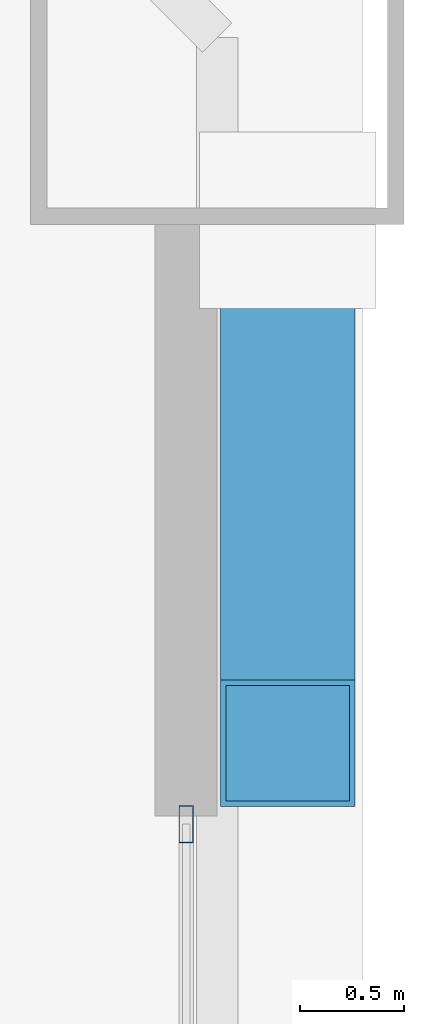
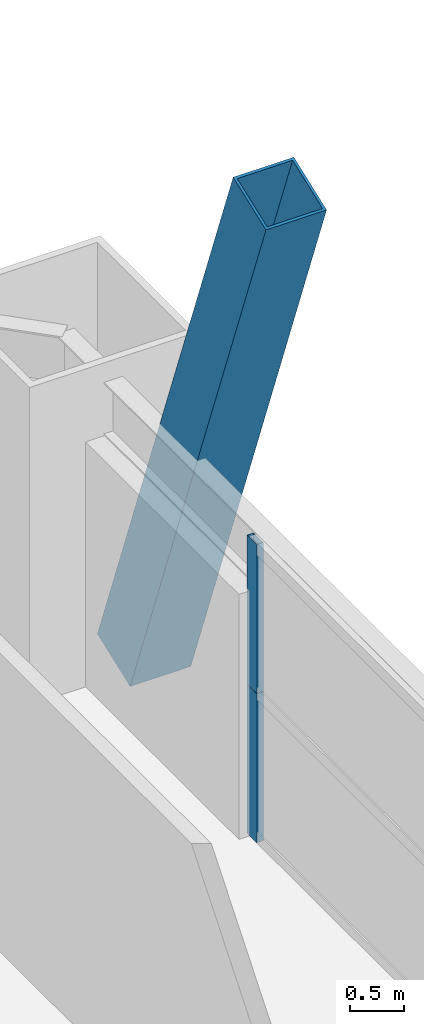
# One storey, part 34 of 43: 3 members, 1 element without a shape of its own.
"""IFC4 building model written with IfcOpenShell, lengths in metres."""

import ifcopenshell
import ifcopenshell.guid

model = None  # the IFC model being written
_history = None  # IfcOwnerHistory: only IFC2X3 demands one
_inside = {}  # id of a spatial element -> (the spatial element, [elements in it])
_under = {}  # id of a project, library or spatial element -> (it, [spatial elements below it])
_declared = {}  # id of a project -> (the project, [libraries it declares])
_typed = {}  # id of a type object -> (the type object, [elements of that type])
_made_of = {}  # id of a material, layer set ... -> (it, [elements and type objects made of it])


def new_model(schema):
    """Start an empty IFC model of exactly this schema.

    Asked for "IFC4X3", IfcOpenShell would pick the latest addendum, in which some entities
    have other attributes; the version numbers below select the first issue.
    IFC2X3 requires an IfcOwnerHistory on every rooted entity: one is made here for all.
    """
    global model, _history
    if schema == "IFC4X3":
        model = ifcopenshell.file(schema_version=(4, 3, 0, 0))
    else:
        model = ifcopenshell.file(schema=schema)
    _inside.clear()
    _under.clear()
    _declared.clear()
    _typed.clear()
    _made_of.clear()
    _history = None
    if model.schema == "IFC2X3":
        org = make("IfcOrganization", Name="unknown")
        user = make(
            "IfcPersonAndOrganization",
            ThePerson=make("IfcPerson", FamilyName="unknown"),
            TheOrganization=org,
        )
        app = make(
            "IfcApplication",
            ApplicationDeveloper=org,
            Version="unknown",
            ApplicationFullName="unknown",
            ApplicationIdentifier="unknown",
        )
        _history = make(
            "IfcOwnerHistory",
            OwningUser=user,
            OwningApplication=app,
            ChangeAction="ADDED",
            CreationDate=0,
        )
    return model


def make(cls, **values):
    """One entity of the class cls with the attributes given. An attribute that is None is left unset."""
    return model.create_entity(
        cls, **{name: value for name, value in values.items() if value is not None}
    )


def rooted(cls, **values):
    """An entity with a GlobalId (a new one), such as an element, a storey or a relation."""
    return make(cls, GlobalId=ifcopenshell.guid.new(), OwnerHistory=_history, **values)


def si_unit(unit_type, name, prefix=None):
    """IfcSIUnit, for example si_unit("LENGTHUNIT", "METRE", prefix="MILLI")."""
    return make("IfcSIUnit", UnitType=unit_type, Prefix=prefix, Name=name)


def assignment(units):
    """IfcUnitAssignment: the units of a project."""
    return None if units is None else make("IfcUnitAssignment", Units=units)


def point(xyz):
    """IfcCartesianPoint."""
    return None if xyz is None else make("IfcCartesianPoint", Coordinates=xyz)


def direction(xyz):
    """IfcDirection."""
    return None if xyz is None else make("IfcDirection", DirectionRatios=xyz)


def frame(location, z_axis=None, x_axis=None):
    """IfcAxis2Placement3D, a coordinate frame: its origin and axes. An axis left out is left unset."""
    return make(
        "IfcAxis2Placement3D",
        Location=point(location),
        Axis=direction(z_axis),
        RefDirection=direction(x_axis),
    )


def frame_2d(location, x_axis=None):
    """IfcAxis2Placement2D, a coordinate frame in the plane: its origin and x axis."""
    return make(
        "IfcAxis2Placement2D", Location=point(location), RefDirection=direction(x_axis)
    )


def origin():
    """The frame at (0, 0, 0) with its axes left unset."""
    return frame((0.0, 0.0, 0.0))


def origin_2d():
    """The frame at (0, 0) in the plane with its x axis left unset."""
    return frame_2d((0.0, 0.0))


def place(relative_to, where):
    """IfcLocalPlacement: puts the frame where relative to a parent placement (None: the world)."""
    return make(
        "IfcLocalPlacement", PlacementRelTo=relative_to, RelativePlacement=where
    )


def context(
    kind, dimensions, precision=None, world=None, true_north=None, identifier=None
):
    """IfcGeometricRepresentationContext, for example the 3D "Model" context."""
    return make(
        "IfcGeometricRepresentationContext",
        ContextIdentifier=identifier,
        ContextType=kind,
        CoordinateSpaceDimension=dimensions,
        Precision=precision,
        WorldCoordinateSystem=world,
        TrueNorth=true_north,
    )


def subcontext(parent, identifier, kind, view, scale=None):
    """IfcGeometricRepresentationSubContext, for example "Body" below "Model"."""
    return make(
        "IfcGeometricRepresentationSubContext",
        ContextIdentifier=identifier,
        ContextType=kind,
        ParentContext=parent,
        TargetScale=scale,
        TargetView=view,
    )


def project(units=None, contexts=None):
    """IfcProject with its units and contexts."""
    return rooted(
        "IfcProject",
        Name="project",
        RepresentationContexts=contexts,
        UnitsInContext=assignment(units),
    )


def spatial(cls, under=None, at=None, **own):
    """A site, building, storey or space (cls), placed at a placement, below another one or the project."""
    s = rooted(cls, ObjectPlacement=at, **own)
    if under is not None:
        _under.setdefault(under.id(), (under, []))[1].append(s)
    return s


def profile(cls, at=None, kind="AREA", **sizes):
    """A parametric profile (cls). Its sizes go by their IFC names, for example OverallWidth=200.0."""
    return make(cls, ProfileType=kind, Position=at, **sizes)


def hollow_rectangle(**sizes):
    """IfcRectangleHollowProfileDef."""
    return profile("IfcRectangleHollowProfileDef", **sizes)


def extrude(swept, where, along, depth):
    """IfcExtrudedAreaSolid: the profile swept, set in the frame where, extruded along a direction by depth."""
    return make(
        "IfcExtrudedAreaSolid",
        SweptArea=swept,
        Position=where,
        ExtrudedDirection=direction(along),
        Depth=depth,
    )


def shape(context_of_items, identifier, shape_type, items):
    """IfcShapeRepresentation: the items that make up one representation, for example the "Body"."""
    return make(
        "IfcShapeRepresentation",
        ContextOfItems=context_of_items,
        RepresentationIdentifier=identifier,
        RepresentationType=shape_type,
        Items=items,
    )


def source(mapping_origin, context_of_items, identifier, shape_type, items):
    """IfcRepresentationMap: a shape defined once, which mapped items show again and again."""
    return make(
        "IfcRepresentationMap",
        MappingOrigin=mapping_origin,
        MappedRepresentation=shape(context_of_items, identifier, shape_type, items),
    )


def transform(
    local_origin,
    x_axis=None,
    y_axis=None,
    z_axis=None,
    scale=None,
    scale2=None,
    scale3=None,
    uniform=True,
):
    """IfcCartesianTransformationOperator3D, or its non-uniform kind. x_axis, y_axis, z_axis: its Axis1, 2, 3."""
    if uniform:
        return make(
            "IfcCartesianTransformationOperator3D",
            Axis1=direction(x_axis),
            Axis2=direction(y_axis),
            LocalOrigin=point(local_origin),
            Scale=scale,
            Axis3=direction(z_axis),
        )
    return make(
        "IfcCartesianTransformationOperator3DnonUniform",
        Axis1=direction(x_axis),
        Axis2=direction(y_axis),
        LocalOrigin=point(local_origin),
        Scale=scale,
        Axis3=direction(z_axis),
        Scale2=scale2,
        Scale3=scale3,
    )


def mapped(mapping_source, mapping_target):
    """IfcMappedItem: shows the shape of a source again, moved by a transform."""
    return make(
        "IfcMappedItem", MappingSource=mapping_source, MappingTarget=mapping_target
    )


def material(Name=None, Category=None):
    """IfcMaterial."""
    return make("IfcMaterial", Name=Name, Category=Category)


def layer(
    of_material, thickness, ventilated=None, Name=None, Category=None, Priority=None
):
    """IfcMaterialLayer: one layer of a wall or slab, of a material (None: an air gap)."""
    return make(
        "IfcMaterialLayer",
        Material=of_material,
        LayerThickness=thickness,
        IsVentilated=ventilated,
        Name=Name,
        Category=Category,
        Priority=Priority,
    )


def layer_set(layers, Name=None):
    """IfcMaterialLayerSet."""
    return make("IfcMaterialLayerSet", MaterialLayers=layers, LayerSetName=Name)


def material_profile(
    of_material, cross_section, Name=None, Category=None, Priority=None
):
    """IfcMaterialProfile: a cross section and its material."""
    return make(
        "IfcMaterialProfile",
        Name=Name,
        Material=of_material,
        Profile=cross_section,
        Priority=Priority,
        Category=Category,
    )


def profile_set(profiles, Name=None, composite=None):
    """IfcMaterialProfileSet."""
    return make(
        "IfcMaterialProfileSet",
        Name=Name,
        MaterialProfiles=profiles,
        CompositeProfile=composite,
    )


def made_of(thing, what):
    """Note that an element or type object is made of a material, layer set ...; save() writes the relation."""
    if what is not None:
        _made_of.setdefault(what.id(), (what, []))[1].append(thing)
    return thing


def type_object(cls, material=None, **own):
    """A type object (cls), such as IfcWallType, which elements share."""
    return made_of(rooted(cls, **own), material)


def element(
    cls,
    number,
    at=None,
    inside=None,
    cuts=None,
    type_object=None,
    material=None,
    context=None,
    identifier="Body",
    shape_type=None,
    held_by="IfcProductDefinitionShape",
    body=None,
    shapes=None,
    **own,
):
    """One element of the class cls, such as IfcWall. Its Tag is "e" and its number.

    at: its placement. inside: the storey or other place that contains it. cuts: it is an
    opening in that element (IfcRelVoidsElement). A single representation is given by context,
    identifier, shape_type and body (its items); several are given by shapes. held_by: the class
    of the entity that holds the representations. save() writes the other relations.
    """
    e = rooted(cls, Tag="e%d" % number, ObjectPlacement=at, **own)
    if body is not None:
        shapes = [shape(context, identifier, shape_type, body)]
    if shapes is not None:
        e.Representation = make(held_by, Representations=shapes)
    if inside is not None:
        _inside.setdefault(inside.id(), (inside, []))[1].append(e)
    if cuts is not None:
        rooted(
            "IfcRelVoidsElement", RelatingBuildingElement=cuts, RelatedOpeningElement=e
        )
    if type_object is not None:
        _typed.setdefault(type_object.id(), (type_object, []))[1].append(e)
    return made_of(e, material)


def aggregate(whole, parts):
    """IfcRelAggregates: a whole, such as a stair, and the parts it consists of."""
    return rooted("IfcRelAggregates", RelatingObject=whole, RelatedObjects=parts)


def save(model, path):
    """Write the relations noted so far, then the file.

    IfcRelAggregates (storeys below a building ...), IfcRelContainedInSpatialStructure (elements
    in a storey), IfcRelDefinesByType, IfcRelAssociatesMaterial and IfcRelDeclares: one each for
    every whole, place, type object, material and project.
    """
    for whole, parts in _under.values():
        aggregate(whole, parts)
    for where, things in _inside.values():
        rooted(
            "IfcRelContainedInSpatialStructure",
            RelatedElements=things,
            RelatingStructure=where,
        )
    for kind, things in _typed.values():
        rooted("IfcRelDefinesByType", RelatedObjects=things, RelatingType=kind)
    for what, things in _made_of.values():
        rooted("IfcRelAssociatesMaterial", RelatedObjects=things, RelatingMaterial=what)
    for by, libraries in _declared.values():
        rooted("IfcRelDeclares", RelatingContext=by, RelatedDefinitions=libraries)
    model.write(path)


model = new_model("IFC4")

# Units and contexts
model_context = context("Model", 3, precision=1e-05, world=origin(), true_north=direction((0.0, 1.0)))
body_context = subcontext(model_context, "Body", "Model", "MODEL_VIEW")
ifc_project = project(units=[si_unit("LENGTHUNIT", "METRE"), si_unit("AREAUNIT", "SQUARE_METRE"), si_unit("VOLUMEUNIT", "CUBIC_METRE"), si_unit("PLANEANGLEUNIT", "RADIAN"), si_unit("MASSUNIT", "GRAM", prefix="KILO"), si_unit("THERMODYNAMICTEMPERATUREUNIT", "KELVIN"), si_unit("POWERUNIT", "WATT")], contexts=[model_context])

# Site, building, storey
site_placement = place(None, origin())
site = spatial("IfcSite", under=ifc_project, at=site_placement, CompositionType="ELEMENT")
building_placement = place(site_placement, origin())
building = spatial("IfcBuilding", under=site, at=building_placement, Name="Yuzanri Waterfront Tower", CompositionType="ELEMENT")
storey_placement = place(building_placement, frame((0.0, 0.0, 60.39990234375)))
storey = spatial("IfcBuildingStorey", under=building, at=storey_placement, Name="L15", CompositionType="ELEMENT", Elevation=60.39990234375)

# Member
ifc_material_1 = material(Name="Steel Q420GJC", Category="steel")
ifc_material_profile_1 = material_profile(ifc_material_1, hollow_rectangle(XDim=0.64990234375, YDim=0.64990234375, WallThickness=0.028076171875, at=origin_2d()), Name="RHS 650x650x28")
ifc_profile_set_1 = profile_set([ifc_material_profile_1], Name="Steel Q420GJC")
member_type_1 = type_object("IfcMemberType", Name="Mega Brace Lower Q420GJC RHS 650x650x28", PredefinedType="BRACE", material=ifc_profile_set_1)
shared_shape_1 = source(origin(), body_context, "Body", "SweptSolid", [
    extrude(hollow_rectangle(XDim=0.64990234375, YDim=0.64990234375, WallThickness=0.028076171875, at=origin_2d()), origin(), (0.0, 0.0, 1.0), 7.158203125),
])
member_1_placement = place(storey_placement, frame((62.43994140625, 46.419921875, 0.18017578125), z_axis=(0.0, -0.352046480343, 0.935982518896), x_axis=(1.0, 0.0, 0.0)))
element("IfcMember", 1, at=member_1_placement, inside=storey, type_object=member_type_1, Name="L15-L16 Perimeter Mega-Brace E-R", PredefinedType="BRACE", context=body_context, shape_type="MappedRepresentation", body=[
    mapped(shared_shape_1, transform((0.0, 0.0, 0.0), scale=1.0)),
])

# Curtain wall, members
ifc_material_2 = material(Name="Anodized Architectural Bronze", Category="metal")
ifc_layer = layer(ifc_material_2, 0.159912109375)
ifc_layer_set = layer_set([ifc_layer], Name="Anodized Architectural Bronze")
curtain_wall_type = type_object("IfcCurtainWallType", Name="Anodized Bronze Hotel Lower-Tier Recessed Unitized Curtain Wall 8100", PredefinedType="NOTDEFINED", material=ifc_layer_set)
curtain_wall_placement = place(storey_placement, origin())
curtain_wall = element("IfcCurtainWall", 2, at=curtain_wall_placement, inside=storey, type_object=curtain_wall_type, Name="L15 Curtain Wall CW-L15-ER", PredefinedType="NOTDEFINED")
ifc_material_3 = material(Name="Anodized Architectural Bronze", Category="metal")
ifc_material_profile_2 = material_profile(ifc_material_3, hollow_rectangle(XDim=0.070068359375, YDim=0.179931640625, WallThickness=0.00390625, at=origin_2d()), Name="CWM 70x180")
ifc_profile_set_2 = profile_set([ifc_material_profile_2], Name="Anodized Architectural Bronze")
member_type_2 = type_object("IfcMemberType", Name="Anodized Bronze Standard Curtain-Wall Mullion 70x180", PredefinedType="MULLION", material=ifc_profile_set_2)
shared_shape_2 = source(origin(), body_context, "Body", "SweptSolid", [
    extrude(hollow_rectangle(XDim=0.070068359375, YDim=0.179931640625, WallThickness=0.00390625, at=origin_2d()), origin(), (0.0, 0.0, 1.0), 1.68798828125),
])
member_2_placement = place(storey_placement, frame((61.949951171875, 43.510009765625, 0.0), z_axis=(0.0, 0.0, 1.0), x_axis=(1.0, 0.0, 0.0)))
member_2 = element("IfcMember", 3, at=member_2_placement, type_object=member_type_2, Name="CW-L15-ER Lower Mullion 02", PredefinedType="MULLION", context=body_context, shape_type="MappedRepresentation", body=[
    mapped(shared_shape_2, transform((0.0, 0.0, 0.0), scale=1.0)),
])
member_3_placement = place(storey_placement, frame((61.949951171875, 43.510009765625, 1.692138671875), z_axis=(0.0, 0.0, 1.0), x_axis=(1.0, 0.0, 0.0)))
member_3 = element("IfcMember", 4, at=member_3_placement, type_object=member_type_2, Name="CW-L15-ER Upper Mullion 02", PredefinedType="MULLION", context=body_context, shape_type="MappedRepresentation", body=[
    mapped(shared_shape_2, transform((0.0, 0.0, 0.0), scale=1.0)),
])
aggregate(curtain_wall, [member_2, member_3])

save(model, "model.ifc")
